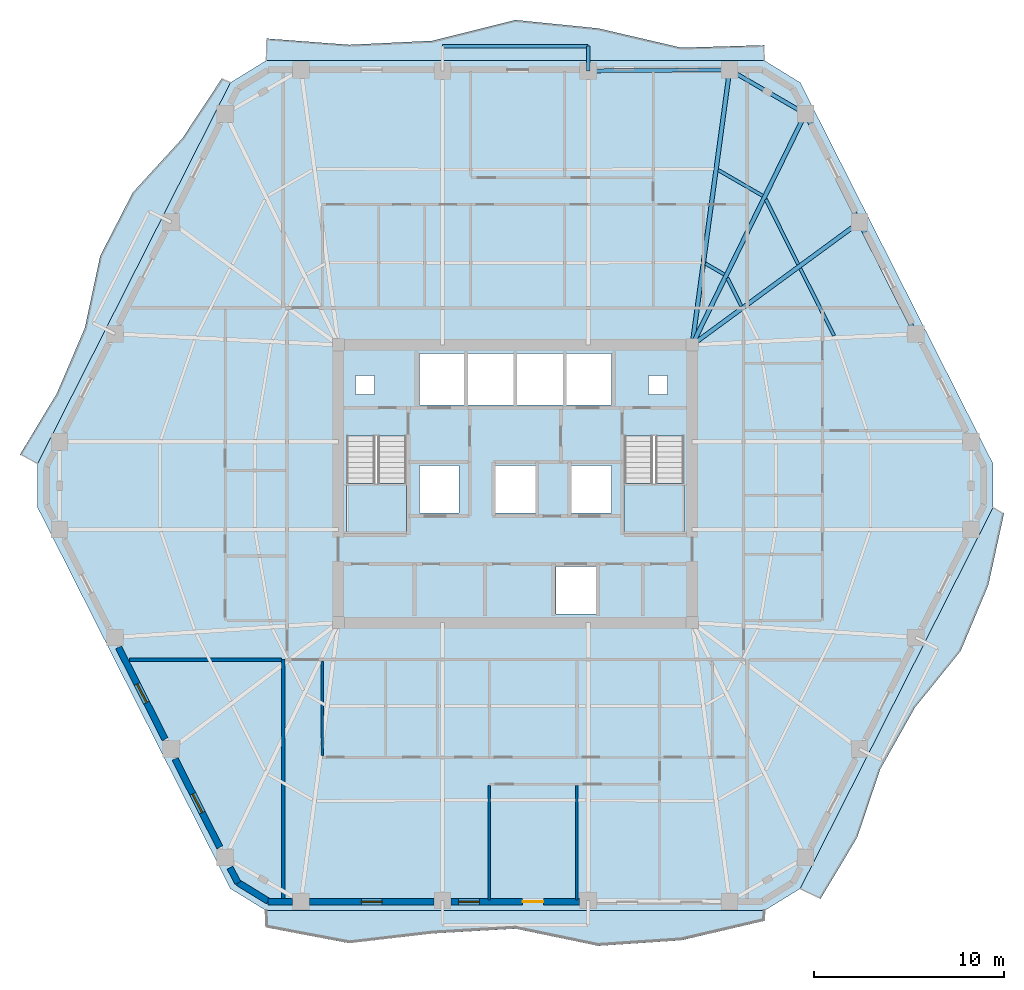
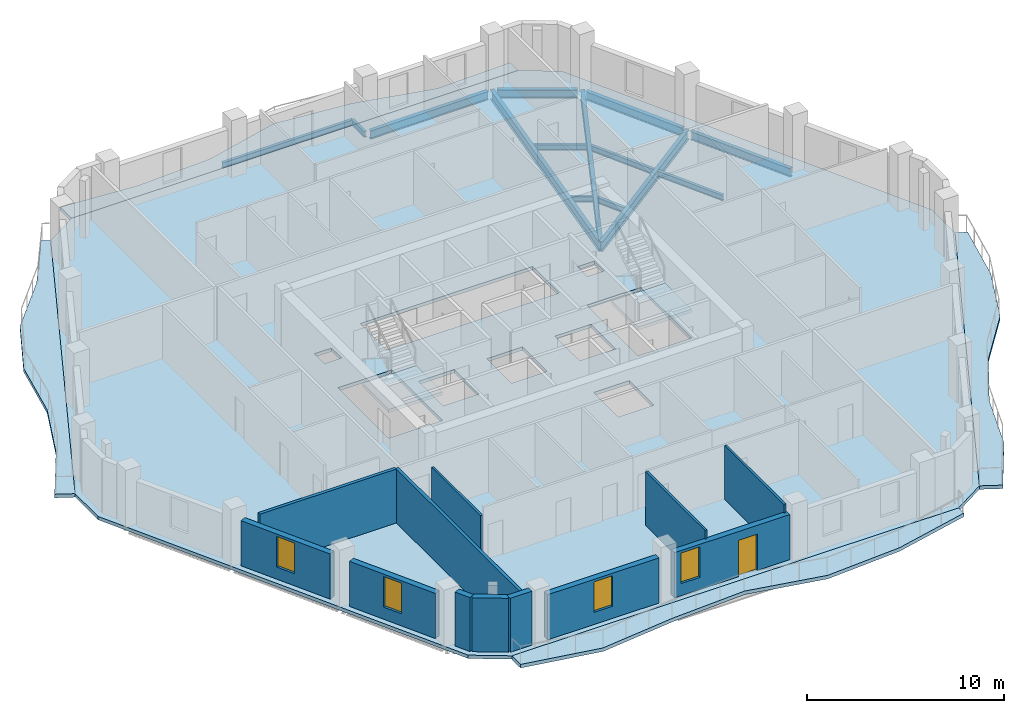
# One storey, part 3 of 10: 14 beams, 12 walls, 7 slabs, 4 windows, 1 door, 5 openings, 2 elements without a shape of their own.
"""IFC4 building model written with IfcOpenShell, lengths in metres."""

from ifc_helpers import new_model, si_unit, direction, frame, frame_2d, origin, origin_2d, place, context, subcontext, project, spatial, polyline, rectangle, i_section, outline, extrude, material, layer, layer_set, material_profile, profile_set, type_object, element, fill, aggregate, save


model = new_model("IFC4")

# Units and contexts
model_context = context("Model", 3, precision=1e-05, world=origin(), true_north=direction((0.0, 1.0)))
body_context = subcontext(model_context, "Body", "Model", "MODEL_VIEW")
ifc_project = project(units=[si_unit("LENGTHUNIT", "METRE"), si_unit("AREAUNIT", "SQUARE_METRE"), si_unit("VOLUMEUNIT", "CUBIC_METRE"), si_unit("PLANEANGLEUNIT", "RADIAN"), si_unit("MASSUNIT", "GRAM", prefix="KILO")], contexts=[model_context])

# Site, building, storey
site_placement = place(None, origin())
site = spatial("IfcSite", under=ifc_project, at=site_placement, CompositionType="ELEMENT")
building_placement = place(site_placement, origin())
building = spatial("IfcBuilding", under=site, at=building_placement, Name="Cinnabar Lancet Tower", CompositionType="ELEMENT")
storey_placement = place(building_placement, frame((0.0, 0.0, 164.14990234375)))
storey = spatial("IfcBuildingStorey", under=building, at=storey_placement, Name="L43", CompositionType="ELEMENT", Elevation=164.14990234375)

# Beams
ifc_material_1 = material(Name="Structural steel S355", Category="steel")
ifc_material_profile_1 = material_profile(ifc_material_1, i_section(OverallWidth=0.17138671875, OverallDepth=0.35498046875, WebThickness=0.00732421875, FlangeThickness=0.011474609375, FilletRadius=0.01025390625, at=origin_2d()), Name="UKB 356x171x51")
ifc_profile_set_1 = profile_set([ifc_material_profile_1], Name="Structural steel S355")
beam_type_1 = type_object("IfcBeamType", Name="STR-BM-JST-356", PredefinedType="JOIST", material=ifc_profile_set_1)
beam_1_placement = place(storey_placement, frame((49.1650390625, 33.679931640625, -0.387939453125), z_axis=(-0.450656035687, 0.892697674187, 0.0), x_axis=(-0.892697674187, -0.450656035687, 0.0)))
element("IfcBeam", 1, at=beam_1_placement, inside=storey, type_object=beam_type_1, Name="L43 Secondary Floor Joist 27", PredefinedType="JOIST", context=body_context, shape_type="SweptSolid", body=[
    extrude(i_section(OverallWidth=0.17138671875, OverallDepth=0.35498046875, WebThickness=0.00732421875, FlangeThickness=0.011474609375, FilletRadius=0.01025390625, at=origin_2d()), origin(), (0.0, 0.0, 1.0), 3.9677734375),
])
beam_2_placement = place(storey_placement, frame((47.27294921875, 37.427978515625, -0.387939453125), z_axis=(-0.4452962175, 0.895383313827, 0.0), x_axis=(-0.895383313827, -0.4452962175, 0.0)))
element("IfcBeam", 2, at=beam_2_placement, inside=storey, type_object=beam_type_1, Name="L43 Secondary Floor Joist 29", PredefinedType="JOIST", context=body_context, shape_type="SweptSolid", body=[
    extrude(i_section(OverallWidth=0.17138671875, OverallDepth=0.35498046875, WebThickness=0.00732421875, FlangeThickness=0.011474609375, FilletRadius=0.01025390625, at=origin_2d()), origin(), (0.0, 0.0, 1.0), 3.822021484375),
])
beam_3_placement = place(storey_placement, frame((44.284912109375, 35.237060546875, -0.387939453125), z_axis=(-0.445203586036, 0.895429375764, 0.0), x_axis=(-0.895429375764, -0.445203586036, 0.0)))
element("IfcBeam", 3, at=beam_3_placement, inside=storey, type_object=beam_type_1, Name="L43 Secondary Floor Joist 30", PredefinedType="JOIST", context=body_context, shape_type="SweptSolid", body=[
    extrude(i_section(OverallWidth=0.17138671875, OverallDepth=0.35498046875, WebThickness=0.00732421875, FlangeThickness=0.011474609375, FilletRadius=0.01025390625, at=origin_2d()), origin(), (0.0, 0.0, 1.0), 1.65283203125),
])
beam_4_placement = place(storey_placement, frame((45.407958984375, 41.035888671875, -0.387939453125), z_axis=(-0.865133760642, 0.501541200898, 0.0), x_axis=(-0.501541200898, -0.865133760642, 0.0)))
element("IfcBeam", 4, at=beam_4_placement, inside=storey, type_object=beam_type_1, Name="L43 Secondary Floor Joist 31", PredefinedType="JOIST", context=body_context, shape_type="SweptSolid", body=[
    extrude(i_section(OverallWidth=0.17138671875, OverallDepth=0.35498046875, WebThickness=0.00732421875, FlangeThickness=0.011474609375, FilletRadius=0.01025390625, at=origin_2d()), origin(), (0.0, 0.0, 1.0), 2.7060546875),
])
beam_5_placement = place(storey_placement, frame((43.385986328125, 36.904052734375, -0.387939453125), z_axis=(-0.865640778484, 0.500665599602, 0.0), x_axis=(-0.500665599602, -0.865640778484, 0.0)))
element("IfcBeam", 5, at=beam_5_placement, inside=storey, type_object=beam_type_1, Name="L43 Secondary Floor Joist 32", PredefinedType="JOIST", context=body_context, shape_type="SweptSolid", body=[
    extrude(i_section(OverallWidth=0.17138671875, OverallDepth=0.35498046875, WebThickness=0.00732421875, FlangeThickness=0.011474609375, FilletRadius=0.01025390625, at=origin_2d()), origin(), (0.0, 0.0, 1.0), 1.142578125),
])
ifc_material_2 = material(Name="Structural steel S355", Category="steel")
ifc_material_profile_2 = material_profile(ifc_material_2, i_section(OverallWidth=0.209228515625, OverallDepth=0.533203125, WebThickness=0.010009765625, FlangeThickness=0.015625, FilletRadius=0.0126953125, at=origin_2d()), Name="UKB 533x210x92")
ifc_profile_set_2 = profile_set([ifc_material_profile_2], Name="Structural steel S355")
beam_type_2 = type_object("IfcBeamType", Name="STR-BM-SPN-533", PredefinedType="SPANDREL", material=ifc_profile_set_2)
beam_6_placement = place(storey_placement, frame((53.339111328125, 33.9990234375, -0.476806640625), z_axis=(-0.450570325924, 0.892740937449, 0.0), x_axis=(-0.892740937449, -0.450570325924, 0.0)))
element("IfcBeam", 6, at=beam_6_placement, inside=storey, type_object=beam_type_2, Name="L43 Perimeter Spandrel 10", PredefinedType="SPANDREL", context=body_context, shape_type="SweptSolid", body=[
    extrude(i_section(OverallWidth=0.209228515625, OverallDepth=0.533203125, WebThickness=0.010009765625, FlangeThickness=0.015625, FilletRadius=0.0126953125, at=origin_2d()), origin(), (0.0, 0.0, 1.0), 6.07470703125),
])
beam_7_placement = place(storey_placement, frame((50.3779296875, 39.868896484375, -0.476806640625), z_axis=(-0.445501068635, 0.89528140707, 0.0), x_axis=(-0.89528140707, -0.445501068635, 0.0)))
element("IfcBeam", 7, at=beam_7_placement, inside=storey, type_object=beam_type_2, Name="L43 Perimeter Spandrel 11", PredefinedType="SPANDREL", context=body_context, shape_type="SweptSolid", body=[
    extrude(i_section(OverallWidth=0.209228515625, OverallDepth=0.533203125, WebThickness=0.010009765625, FlangeThickness=0.015625, FilletRadius=0.0126953125, at=origin_2d()), origin(), (0.0, 0.0, 1.0), 5.87646484375),
])
beam_8_placement = place(storey_placement, frame((47.43310546875, 45.47900390625, -0.476806640625), z_axis=(-0.865138129765, 0.5015336643, 0.0), x_axis=(-0.5015336643, -0.865138129765, 0.0)))
element("IfcBeam", 8, at=beam_8_placement, inside=storey, type_object=beam_type_2, Name="L43 Perimeter Spandrel 12", PredefinedType="SPANDREL", context=body_context, shape_type="SweptSolid", body=[
    extrude(i_section(OverallWidth=0.209228515625, OverallDepth=0.533203125, WebThickness=0.010009765625, FlangeThickness=0.015625, FilletRadius=0.0126953125, at=origin_2d()), origin(), (0.0, 0.0, 1.0), 4.10107421875),
])
beam_9_placement = place(storey_placement, frame((43.4189453125, 47.658935546875, -0.476806640625), z_axis=(-0.999975228682, -0.007038609338, 0.0), x_axis=(0.007038609338, -0.999975228682, 0.0)))
element("IfcBeam", 9, at=beam_9_placement, inside=storey, type_object=beam_type_2, Name="L43 Perimeter Spandrel 13", PredefinedType="SPANDREL", context=body_context, shape_type="SweptSolid", body=[
    extrude(i_section(OverallWidth=0.209228515625, OverallDepth=0.533203125, WebThickness=0.010009765625, FlangeThickness=0.015625, FilletRadius=0.0126953125, at=origin_2d()), origin(), (0.0, 0.0, 1.0), 6.937255859375),
])
ifc_material_3 = material(Name="Structural steel S355", Category="steel")
ifc_material_profile_3 = material_profile(ifc_material_3, i_section(OverallWidth=0.228271484375, OverallDepth=0.607666015625, WebThickness=0.010986328125, FlangeThickness=0.017333984375, FilletRadius=0.0126953125, at=origin_2d()), Name="UKB 610x229x113")
ifc_profile_set_3 = profile_set([ifc_material_profile_3], Name="Structural steel S355")
beam_type_3 = type_object("IfcBeamType", Name="STR-BM-UKB610-113", PredefinedType="BEAM", material=ifc_profile_set_3)
beam_10_placement = place(storey_placement, frame((50.489013671875, 39.64501953125, -0.513916015625), z_axis=(-0.806415678013, -0.591349096774, 0.0), x_axis=(0.591349096774, -0.806415678013, 0.0)))
element("IfcBeam", 10, at=beam_10_placement, inside=storey, type_object=beam_type_3, Name="L43 Corner Collector Girder 3", PredefinedType="BEAM", context=body_context, shape_type="SweptSolid", body=[
    extrude(i_section(OverallWidth=0.228271484375, OverallDepth=0.607666015625, WebThickness=0.010986328125, FlangeThickness=0.017333984375, FilletRadius=0.0126953125, at=origin_2d()), origin(), (0.0, 0.0, 1.0), 10.89892578125),
])
beam_11_placement = place(storey_placement, frame((47.64892578125, 45.35400390625, -0.513916015625), z_axis=(-0.43962719145, -0.898180345219, 0.0), x_axis=(0.898180345219, -0.43962719145, 0.0)))
element("IfcBeam", 11, at=beam_11_placement, inside=storey, type_object=beam_type_3, Name="L43 Primary Floor Girder 12", PredefinedType="BEAM", context=body_context, shape_type="SweptSolid", body=[
    extrude(i_section(OverallWidth=0.228271484375, OverallDepth=0.607666015625, WebThickness=0.010986328125, FlangeThickness=0.017333984375, FilletRadius=0.0126953125, at=origin_2d()), origin(), (0.0, 0.0, 1.0), 13.531982421875),
])
beam_12_placement = place(storey_placement, frame((43.6689453125, 47.660888671875, -0.513916015625), z_axis=(-0.134914632731, -0.990857225777, 0.0), x_axis=(0.990857225777, -0.134914632731, 0.0)))
element("IfcBeam", 12, at=beam_12_placement, inside=storey, type_object=beam_type_3, Name="L43 Primary Floor Girder 13", PredefinedType="BEAM", context=body_context, shape_type="SweptSolid", body=[
    extrude(i_section(OverallWidth=0.228271484375, OverallDepth=0.607666015625, WebThickness=0.010986328125, FlangeThickness=0.017333984375, FilletRadius=0.0126953125, at=origin_2d()), origin(), (0.0, 0.0, 1.0), 14.594482421875),
])
ifc_material_4 = material(Name="Structural steel S355", Category="steel")
ifc_material_profile_4 = material_profile(ifc_material_4, i_section(OverallWidth=0.17138671875, OverallDepth=0.35498046875, WebThickness=0.00732421875, FlangeThickness=0.011474609375, FilletRadius=0.01025390625, at=origin_2d()), Name="UKB 356x171x51")
ifc_profile_set_4 = profile_set([ifc_material_profile_4], Name="Structural steel S355")
beam_type_4 = type_object("IfcBeamType", Name="STR-BM-WAV-OUT", PredefinedType="BEAM", material=ifc_profile_set_4)
beam_13_placement = place(storey_placement, frame((36.23193359375, 47.60791015625, -0.39794921875), z_axis=(0.0, 1.0, 0.0), x_axis=(-1.0, 0.0, 0.0)))
element("IfcBeam", 13, at=beam_13_placement, inside=storey, type_object=beam_type_4, Name="L43 Face 4 Balcony Outlooker A", PredefinedType="BEAM", context=body_context, shape_type="SweptSolid", body=[
    extrude(i_section(OverallWidth=0.17138671875, OverallDepth=0.35498046875, WebThickness=0.00732421875, FlangeThickness=0.011474609375, FilletRadius=0.01025390625, at=origin_2d()), origin(), (0.0, 0.0, 1.0), 1.300048828125),
])
ifc_material_5 = material(Name="Structural steel S355", Category="steel")
ifc_material_profile_5 = material_profile(ifc_material_5, i_section(OverallWidth=0.17138671875, OverallDepth=0.35498046875, WebThickness=0.00732421875, FlangeThickness=0.011474609375, FilletRadius=0.01025390625, at=origin_2d()), Name="UKB 356x171x51")
ifc_profile_set_5 = profile_set([ifc_material_profile_5], Name="Structural steel S355")
beam_type_5 = type_object("IfcBeamType", Name="STR-BM-WAV-TRIM", PredefinedType="SPANDREL", material=ifc_profile_set_5)
beam_14_placement = place(storey_placement, frame((36.23193359375, 48.907958984375, -0.39794921875), z_axis=(-1.0, 0.0, 0.0), x_axis=(0.0, -1.0, 0.0)))
element("IfcBeam", 14, at=beam_14_placement, inside=storey, type_object=beam_type_5, Name="L43 Face 4 Balcony Edge Trimmer", PredefinedType="SPANDREL", context=body_context, shape_type="SweptSolid", body=[
    extrude(i_section(OverallWidth=0.17138671875, OverallDepth=0.35498046875, WebThickness=0.00732421875, FlangeThickness=0.011474609375, FilletRadius=0.01025390625, at=origin_2d()), origin(), (0.0, 0.0, 1.0), 7.663818359375),
])

# Stair, slab
ifc_material_6 = material(Name="Concrete C40/50", Category="concrete")
stair_type = type_object("IfcStairType", Name="ST-CORE", PredefinedType="HALF_TURN_STAIR", material=ifc_material_6)
stair_1_placement = place(storey_placement, origin())
stair_1 = element("IfcStair", 15, at=stair_1_placement, inside=storey, type_object=stair_type, Name="L43 ST-1", PredefinedType="HALF_TURN_STAIR")
ifc_material_7 = material(Name="Concrete C40/50", Category="concrete")
ifc_layer_1 = layer(ifc_material_7, 0.199951171875)
ifc_layer_set_1 = layer_set([ifc_layer_1], Name="Concrete C40/50")
slab_type_1 = type_object("IfcSlabType", Name="LANDING-CORE", PredefinedType="LANDING", material=ifc_layer_set_1)
slab_1_placement = place(storey_placement, frame((0.0, 0.0, 1.5751953125)))
slab_1 = element("IfcSlab", 16, at=slab_1_placement, type_object=slab_type_1, Name="ST-1 landing 1", PredefinedType="LANDING", context=body_context, shape_type="SweptSolid", body=[
    extrude(outline(polyline([(23.52490234375, 25.925048828125), (23.52490234375, 23.25), (26.675048828125, 23.25), (26.675048828125, 25.925048828125), (23.52490234375, 25.925048828125)])), origin(), (0.0, 0.0, 1.0), 0.199951171875),
])
aggregate(stair_1, [slab_1])

stair_2_placement = place(storey_placement, origin())
stair_2 = element("IfcStair", 17, at=stair_2_placement, inside=storey, type_object=stair_type, Name="L43 ST-2", PredefinedType="HALF_TURN_STAIR")
slab_2_placement = place(storey_placement, frame((0.0, 0.0, 1.5751953125)))
slab_2 = element("IfcSlab", 18, at=slab_2_placement, type_object=slab_type_1, Name="ST-2 landing 1", PredefinedType="LANDING", context=body_context, shape_type="SweptSolid", body=[
    extrude(outline(polyline([(38.125, 25.925048828125), (38.125, 23.25), (41.27490234375, 23.25), (41.27490234375, 25.925048828125), (38.125, 25.925048828125)])), origin(), (0.0, 0.0, 1.0), 0.199951171875),
])
aggregate(stair_2, [slab_2])

# Slabs
ifc_material_8 = material(Name="Concrete C40/50", Category="concrete")
ifc_layer_2 = layer(ifc_material_8, 0.2099609375)
ifc_layer_set_2 = layer_set([ifc_layer_2], Name="Concrete C40/50")
slab_type_2 = type_object("IfcSlabType", Name="STR-SLB-FLR-210", PredefinedType="FLOOR", material=ifc_layer_set_2)
slab_3_placement = place(storey_placement, frame((0.0, 0.0, -0.2099609375)))
element("IfcSlab", 19, at=slab_3_placement, inside=storey, type_object=slab_type_2, Name="L43 Structural Floor Slab", PredefinedType="FLOOR", context=body_context, shape_type="SweptSolid", body=[
    extrude(outline(polyline([(17.4208984375, 4.610107421875), (19.30810546875, 3.449951171875), (45.491943359375, 3.449951171875), (47.37890625, 4.610107421875), (57.512939453125, 24.639892578125), (57.512939453125, 26.9599609375), (47.37890625, 46.989990234375), (45.491943359375, 48.14990234375), (19.30810546875, 48.14990234375), (17.4208984375, 46.989990234375), (7.287109375, 26.9599609375), (7.287109375, 24.639892578125), (17.4208984375, 4.610107421875)]), holes=[polyline([(23.52490234375, 23.25), (26.675048828125, 23.25), (26.675048828125, 28.3994140625), (23.52490234375, 28.3994140625), (23.52490234375, 23.25)]), polyline([(38.125, 23.25), (41.27490234375, 23.25), (41.27490234375, 28.3994140625), (38.125, 28.3994140625), (38.125, 23.25)]), polyline([(27.35009765625, 30.050048828125), (37.449951171875, 30.050048828125), (37.449951171875, 32.75), (27.35009765625, 32.75), (27.35009765625, 30.050048828125)]), polyline([(34.550048828125, 19.050048828125), (36.64990234375, 19.050048828125), (36.64990234375, 21.550048828125), (34.550048828125, 21.550048828125), (34.550048828125, 19.050048828125)]), polyline([(27.35009765625, 24.35009765625), (29.449951171875, 24.35009765625), (29.449951171875, 26.85009765625), (27.35009765625, 26.85009765625), (27.35009765625, 24.35009765625)]), polyline([(35.35009765625, 24.35009765625), (37.449951171875, 24.35009765625), (37.449951171875, 26.85009765625), (35.35009765625, 26.85009765625), (35.35009765625, 24.35009765625)]), polyline([(31.35009765625, 24.35009765625), (33.449951171875, 24.35009765625), (33.449951171875, 26.85009765625), (31.35009765625, 26.85009765625), (31.35009765625, 24.35009765625)]), polyline([(24.0, 30.60009765625), (25.0, 30.60009765625), (25.0, 31.60009765625), (24.0, 31.60009765625), (24.0, 30.60009765625)]), polyline([(39.39990234375, 30.60009765625), (40.39990234375, 30.60009765625), (40.39990234375, 31.60009765625), (39.39990234375, 31.60009765625), (39.39990234375, 30.60009765625)])]), origin(), (0.0, 0.0, 1.0), 0.2099609375),
])
ifc_material_9 = material(Name="Concrete C45/55", Category="concrete")
ifc_layer_3 = layer(ifc_material_9, 0.219970703125)
ifc_layer_set_3 = layer_set([ifc_layer_3], Name="Concrete C45/55")
slab_type_3 = type_object("IfcSlabType", Name="STR-SLB-WAV-220", PredefinedType="FLOOR", material=ifc_layer_set_3)
slab_4_placement = place(storey_placement, frame((0.0, 0.0, -0.219970703125)))
element("IfcSlab", 20, at=slab_4_placement, inside=storey, type_object=slab_type_3, Name="L43 Face 1 Undulating Wave Balcony Slab", PredefinedType="FLOOR", context=body_context, shape_type="SweptSolid", body=[
    extrude(outline(polyline([(19.30810546875, 3.449951171875), (19.30810546875, 2.56396484375), (23.672119140625, 1.739990234375), (28.035888671875, 2.25), (32.39990234375, 2.50390625), (36.763916015625, 1.59912109375), (41.1279296875, 1.89306640625), (45.491943359375, 2.9150390625), (45.491943359375, 3.449951171875), (19.30810546875, 3.449951171875)])), origin(), (0.0, 0.0, 1.0), 0.219970703125),
])
slab_5_placement = place(storey_placement, frame((0.0, 0.0, -0.219970703125)))
element("IfcSlab", 21, at=slab_5_placement, inside=storey, type_object=slab_type_3, Name="L43 Face 2 Undulating Wave Balcony Slab", PredefinedType="FLOOR", context=body_context, shape_type="SweptSolid", body=[
    extrude(outline(polyline([(47.37890625, 4.610107421875), (48.443115234375, 4.072021484375), (50.368896484375, 7.2900390625), (51.577880859375, 10.87109375), (53.412109375, 14.135986328125), (55.81689453125, 17.112060546875), (57.26904296875, 20.571044921875), (58.093994140625, 24.345947265625), (57.512939453125, 24.639892578125), (47.37890625, 4.610107421875)])), origin(), (0.0, 0.0, 1.0), 0.219970703125),
])
slab_6_placement = place(storey_placement, frame((0.0, 0.0, -0.219970703125)))
element("IfcSlab", 22, at=slab_6_placement, inside=storey, type_object=slab_type_3, Name="L43 Face 4 Undulating Wave Balcony Slab", PredefinedType="FLOOR", context=body_context, shape_type="SweptSolid", body=[
    extrude(outline(polyline([(45.491943359375, 48.14990234375), (45.491943359375, 48.95703125), (41.1279296875, 48.824951171875), (36.763916015625, 49.842041015625), (32.39990234375, 50.281982421875), (28.035888671875, 49.19091796875), (23.672119140625, 48.97802734375), (19.30810546875, 49.306884765625), (19.30810546875, 48.14990234375), (45.491943359375, 48.14990234375)])), origin(), (0.0, 0.0, 1.0), 0.219970703125),
])
slab_7_placement = place(storey_placement, frame((0.0, 0.0, -0.219970703125)))
element("IfcSlab", 23, at=slab_7_placement, inside=storey, type_object=slab_type_3, Name="L43 Face 5 Undulating Wave Balcony Slab", PredefinedType="FLOOR", context=body_context, shape_type="SweptSolid", body=[
    extrude(outline(polyline([(17.4208984375, 46.989990234375), (16.97509765625, 47.216064453125), (14.905029296875, 44.070068359375), (12.282958984375, 41.2041015625), (10.573974609375, 37.8759765625), (9.76708984375, 34.091064453125), (8.29296875, 30.64404296875), (6.35693359375, 27.429931640625), (7.287109375, 26.9599609375), (17.4208984375, 46.989990234375)])), origin(), (0.0, 0.0, 1.0), 0.219970703125),
])

# Walls
ifc_material_10 = material(Name="Fire-rated twin-frame acoustic drywall", Category="gypsum")
ifc_layer_4 = layer(ifc_material_10, 0.179931640625)
ifc_layer_set_4 = layer_set([ifc_layer_4], Name="Fire-rated twin-frame acoustic drywall")
wall_type_1 = type_object("IfcWallType", Name="ARC-WL-PARTY-180", PredefinedType="PARTITIONING", material=ifc_layer_set_4)
wall_1_placement = place(storey_placement, frame((20.199951171875, 4.10498046875, 0.0), z_axis=(0.0, 0.0, 1.0), x_axis=(0.0, 1.0, 0.0)))
element("IfcWall", 24, at=wall_1_placement, inside=storey, type_object=wall_type_1, Name="PW-L43-SPTY-202", PredefinedType="PARTITIONING", context=body_context, shape_type="SweptSolid", body=[
    extrude(rectangle(XDim=12.544921875, YDim=0.179931640625, at=frame_2d((6.2724609375, 0.0))), origin(), (0.0, 0.0, 1.0), 3.340087890625),
])
wall_2_placement = place(storey_placement, frame((12.10888671875, 16.64990234375, 0.0), z_axis=(0.0, 0.0, 1.0), x_axis=(1.0, 0.0, 0.0)))
element("IfcWall", 25, at=wall_2_placement, inside=storey, type_object=wall_type_1, Name="PW-L43-WSB", PredefinedType="PARTITIONING", context=body_context, shape_type="SweptSolid", body=[
    extrude(rectangle(XDim=7.99609375, YDim=0.179931640625, at=frame_2d((3.998046875, 0.0))), origin(), (0.0, 0.0, 1.0), 3.340087890625),
])
ifc_material_11 = material(Name="Gypsum plasterboard stud partition", Category="gypsum")
ifc_layer_5 = layer(ifc_material_11, 0.125)
ifc_layer_set_5 = layer_set([ifc_layer_5], Name="Gypsum plasterboard stud partition")
wall_type_2 = type_object("IfcWallType", Name="ARC-WL-UNIT-125", PredefinedType="PARTITIONING", material=ifc_layer_set_5)
wall_3_placement = place(storey_placement, frame((22.25, 11.612060546875, 0.0), z_axis=(0.0, 0.0, 1.0), x_axis=(0.0, 1.0, 0.0)))
element("IfcWall", 26, at=wall_3_placement, inside=storey, type_object=wall_type_2, Name="UW-L43-S01-FOYE", PredefinedType="PARTITIONING", context=body_context, shape_type="SweptSolid", body=[
    extrude(rectangle(XDim=4.952880859375, YDim=0.125, at=frame_2d((2.4765625, 0.0))), origin(), (0.0, 0.0, 1.0), 2.72216796875),
])
for number, where, z_axis, x_axis, name in (
    (27, (31.02294921875, 4.014892578125, 0.0), (0.0, 0.0, 1.0), (0.0, 1.0, 0.0), "UW-L43-S01-BD2W"),
    (28, (35.638916015625, 4.014892578125, 0.0), (0.0, 0.0, 1.0), (0.0, 1.0, 0.0), "UW-L43-S01-MB2W"),
):
    element("IfcWall", number, at=place(storey_placement, frame(where, z_axis=z_axis, x_axis=x_axis)), inside=storey, type_object=wall_type_2, Name=name, PredefinedType="PARTITIONING", context=body_context, shape_type="SweptSolid", body=[
        extrude(rectangle(XDim=6.027099609375, YDim=0.125, at=frame_2d((3.013671875, 0.0))), origin(), (0.0, 0.0, 1.0), 3.340087890625),
    ])
ifc_material_12 = material(Name="Cinnabar red clay brick", Category="masonry")
ifc_layer_6 = layer(ifc_material_12, 0.340087890625)
ifc_layer_set_6 = layer_set([ifc_layer_6], Name="Cinnabar red clay brick")
wall_type_3 = type_object("IfcWallType", Name="ENV-WL-BRK-RED-340", PredefinedType="STANDARD", material=ifc_layer_set_6)
wall_4_placement = place(storey_placement, frame((17.8291015625, 4.923095703125, 0.0), z_axis=(0.0, 0.0, 1.0), x_axis=(0.851798915137, -0.523868884523, 0.0)))
element("IfcWall", 29, at=wall_4_placement, inside=storey, type_object=wall_type_3, Name="L43 Chamfered Corner Brick Pier 1.1", PredefinedType="STANDARD", context=body_context, shape_type="SweptSolid", body=[
    extrude(rectangle(XDim=1.847900390625, YDim=0.340087890625, at=frame_2d((0.923828125, 0.0))), origin(), (0.0, 0.0, 1.0), 3.340087890625),
])
wall_5_placement = place(storey_placement, frame((19.39794921875, 3.929931640625, 0.0), z_axis=(0.0, 0.0, 1.0), x_axis=(1.0, 0.0, 0.0)))
element("IfcWall", 30, at=wall_5_placement, inside=storey, type_object=wall_type_3, Name="L43 Face 1 Masonry Bay Wall 1", PredefinedType="STANDARD", context=body_context, shape_type="SweptSolid", body=[
    extrude(rectangle(XDim=1.279052734375, YDim=0.340087890625, at=frame_2d((0.6396484375, 0.0))), origin(), (0.0, 0.0, 1.0), 3.340087890625),
])

# Wall, opening, window
wall_6_placement = place(storey_placement, frame((21.5849609375, 3.929931640625, 0.0), z_axis=(0.0, 0.0, 1.0), x_axis=(1.0, 0.0, 0.0)))
wall_6 = element("IfcWall", 31, at=wall_6_placement, inside=storey, type_object=wall_type_3, Name="L43 Face 1 Masonry Bay Wall 2", PredefinedType="STANDARD", context=body_context, shape_type="SweptSolid", body=[
    extrude(rectangle(XDim=6.529052734375, YDim=0.340087890625, at=frame_2d((3.2646484375, 0.0))), origin(), (0.0, 0.0, 1.0), 2.797119140625),
])
opening_1_placement = place(wall_6_placement, frame((2.715087890625, 0.0, 0.75)))
opening_1 = element("IfcOpeningElement", 32, at=opening_1_placement, cuts=wall_6, Name="Opening WN-04", PredefinedType="OPENING", context=body_context, shape_type="SweptSolid", body=[
    extrude(rectangle(XDim=1.10009765625, YDim=1.89697265625, at=frame_2d((0.550048828125, 0.948486328125))), frame((0.0, 0.179931640625, 0.0), z_axis=(0.0, -1.0, 0.0), x_axis=(1.0, 0.0, 0.0)), (0.0, 0.0, 1.0), 0.360107421875),
])
ifc_material_13 = material(Name="Thermally broken bronze-anodized aluminium tall lancet window", Category="aluminium")
window_type = type_object("IfcWindowType", Name="ENV-WN-LANCET-1100", PartitioningType="SINGLE_PANEL", PredefinedType="WINDOW", material=ifc_material_13)
window_1_placement = place(opening_1_placement, origin())
window_1 = element("IfcWindow", 33, at=window_1_placement, inside=storey, type_object=window_type, Name="L43 Face 1 Gothic Lancet Window 2", OverallHeight=1.89697265625, OverallWidth=1.10009765625, PartitioningType="SINGLE_PANEL", PredefinedType="WINDOW", context=body_context, shape_type="SweptSolid", body=[
    extrude(rectangle(XDim=1.10009765625, YDim=1.89697265625, at=frame_2d((0.550048828125, 0.948486328125))), frame((0.0, 0.030029296875, 0.0), z_axis=(0.0, -1.0, 0.0), x_axis=(1.0, 0.0, 0.0)), (0.0, 0.0, 1.0), 0.06005859375),
])
fill(opening_1, window_1)

# Wall, openings, door, window
wall_7_placement = place(storey_placement, frame((29.02197265625, 3.929931640625, 0.0), z_axis=(0.0, 0.0, 1.0), x_axis=(1.0, 0.0, 0.0)))
wall_7 = element("IfcWall", 34, at=wall_7_placement, inside=storey, type_object=wall_type_3, Name="L43 Face 1 Masonry Bay Wall 3", PredefinedType="STANDARD", context=body_context, shape_type="SweptSolid", body=[
    extrude(rectangle(XDim=6.756103515625, YDim=0.340087890625, at=frame_2d((3.3779296875, 0.0))), origin(), (0.0, 0.0, 1.0), 2.797119140625),
])
opening_2_placement = place(wall_7_placement, frame((3.759033203125, 0.0, 0.0)))
opening_2 = element("IfcOpeningElement", 35, at=opening_2_placement, cuts=wall_7, Name="Opening TD-01", PredefinedType="OPENING", context=body_context, shape_type="SweptSolid", body=[
    extrude(rectangle(XDim=1.10009765625, YDim=2.25, at=frame_2d((0.550048828125, 1.125))), frame((0.0, 0.179931640625, 0.0), z_axis=(0.0, -1.0, 0.0), x_axis=(1.0, 0.0, 0.0)), (0.0, 0.0, 1.0), 0.360107421875),
])
opening_3_placement = place(wall_7_placement, frame((0.39404296875, 0.0, 0.75)))
opening_3 = element("IfcOpeningElement", 36, at=opening_3_placement, cuts=wall_7, Name="Opening WN-04", PredefinedType="OPENING", context=body_context, shape_type="SweptSolid", body=[
    extrude(rectangle(XDim=1.10009765625, YDim=1.89697265625, at=frame_2d((0.550048828125, 0.948486328125))), frame((0.0, 0.179931640625, 0.0), z_axis=(0.0, -1.0, 0.0), x_axis=(1.0, 0.0, 0.0)), (0.0, 0.0, 1.0), 0.360107421875),
])
ifc_material_14 = material(Name="Thermally broken low-E glazed balcony terrace door", Category="wood")
door_type = type_object("IfcDoorType", Name="ARC-DR-BALC", OperationType="NOTDEFINED", PredefinedType="DOOR", material=ifc_material_14)
door_placement = place(opening_2_placement, origin())
door = element("IfcDoor", 37, at=door_placement, inside=storey, type_object=door_type, Name="L43 Face 1 Glazed Terrace Door", OperationType="SINGLE_SWING_RIGHT", OverallHeight=2.25, OverallWidth=1.10009765625, PredefinedType="DOOR", context=body_context, shape_type="SweptSolid", body=[
    extrude(rectangle(XDim=1.10009765625, YDim=2.25, at=frame_2d((0.550048828125, 1.125))), frame((0.0, 0.02490234375, 0.0), z_axis=(0.0, -1.0, 0.0), x_axis=(1.0, 0.0, 0.0)), (0.0, 0.0, 1.0), 0.050048828125),
])
fill(opening_2, door)
window_2_placement = place(opening_3_placement, origin())
window_2 = element("IfcWindow", 38, at=window_2_placement, inside=storey, type_object=window_type, Name="L43 Split-Bay Gothic Lancet Window 123", OverallHeight=1.89697265625, OverallWidth=1.10009765625, PartitioningType="SINGLE_PANEL", PredefinedType="WINDOW", context=body_context, shape_type="SweptSolid", body=[
    extrude(rectangle(XDim=1.10009765625, YDim=1.89697265625, at=frame_2d((0.550048828125, 0.948486328125))), frame((0.0, 0.030029296875, 0.0), z_axis=(0.0, -1.0, 0.0), x_axis=(1.0, 0.0, 0.0)), (0.0, 0.0, 1.0), 0.06005859375),
])
fill(opening_3, window_2)

# Wall, opening, window
wall_8_placement = place(storey_placement, frame((11.5419921875, 17.29296875, 0.0), z_axis=(0.0, 0.0, 1.0), x_axis=(0.451491174807, -0.892275584711, 0.0)))
wall_8 = element("IfcWall", 39, at=wall_8_placement, inside=storey, type_object=wall_type_3, Name="L43 Face 6 Masonry Bay Wall 3", PredefinedType="STANDARD", context=body_context, shape_type="SweptSolid", body=[
    extrude(rectangle(XDim=5.404296875, YDim=0.340087890625, at=frame_2d((2.7021484375, 0.0))), origin(), (0.0, 0.0, 1.0), 2.797119140625),
])
opening_4_placement = place(wall_8_placement, frame((2.152099609375, 0.0, 0.75)))
opening_4 = element("IfcOpeningElement", 40, at=opening_4_placement, cuts=wall_8, Name="Opening WN-04", PredefinedType="OPENING", context=body_context, shape_type="SweptSolid", body=[
    extrude(rectangle(XDim=1.10009765625, YDim=1.89697265625, at=frame_2d((0.550048828125, 0.948486328125))), frame((0.0, 0.179931640625, 0.0), z_axis=(0.0, -1.0, 0.0), x_axis=(1.0, 0.0, 0.0)), (0.0, 0.0, 1.0), 0.360107421875),
])
window_3_placement = place(opening_4_placement, origin())
window_3 = element("IfcWindow", 41, at=window_3_placement, inside=storey, type_object=window_type, Name="L43 Face 6 Gothic Lancet Window 3", OverallHeight=1.89697265625, OverallWidth=1.10009765625, PartitioningType="SINGLE_PANEL", PredefinedType="WINDOW", context=body_context, shape_type="SweptSolid", body=[
    extrude(rectangle(XDim=1.10009765625, YDim=1.89697265625, at=frame_2d((0.550048828125, 0.948486328125))), frame((0.0, 0.030029296875, 0.0), z_axis=(0.0, -1.0, 0.0), x_axis=(1.0, 0.0, 0.0)), (0.0, 0.0, 1.0), 0.06005859375),
])
fill(opening_4, window_3)

wall_9_placement = place(storey_placement, frame((14.510986328125, 11.424072265625, 0.0), z_axis=(0.0, 0.0, 1.0), x_axis=(0.451595734115, -0.892222670038, 0.0)))
wall_9 = element("IfcWall", 42, at=wall_9_placement, inside=storey, type_object=wall_type_3, Name="L43 Face 6 Masonry Bay Wall 4", PredefinedType="STANDARD", context=body_context, shape_type="SweptSolid", body=[
    extrude(rectangle(XDim=5.208251953125, YDim=0.340087890625, at=frame_2d((2.60400390625, 0.0))), origin(), (0.0, 0.0, 1.0), 2.797119140625),
])
opening_5_placement = place(wall_9_placement, frame((2.053955078125, 0.0, 0.75)))
opening_5 = element("IfcOpeningElement", 43, at=opening_5_placement, cuts=wall_9, Name="Opening WN-04", PredefinedType="OPENING", context=body_context, shape_type="SweptSolid", body=[
    extrude(rectangle(XDim=1.10009765625, YDim=1.89697265625, at=frame_2d((0.550048828125, 0.948486328125))), frame((0.0, 0.179931640625, 0.0), z_axis=(0.0, -1.0, 0.0), x_axis=(1.0, 0.0, 0.0)), (0.0, 0.0, 1.0), 0.360107421875),
])
window_4_placement = place(opening_5_placement, origin())
window_4 = element("IfcWindow", 44, at=window_4_placement, inside=storey, type_object=window_type, Name="L43 Face 6 Gothic Lancet Window 4", OverallHeight=1.89697265625, OverallWidth=1.10009765625, PartitioningType="SINGLE_PANEL", PredefinedType="WINDOW", context=body_context, shape_type="SweptSolid", body=[
    extrude(rectangle(XDim=1.10009765625, YDim=1.89697265625, at=frame_2d((0.550048828125, 0.948486328125))), frame((0.0, 0.030029296875, 0.0), z_axis=(0.0, -1.0, 0.0), x_axis=(1.0, 0.0, 0.0)), (0.0, 0.0, 1.0), 0.06005859375),
])
fill(opening_5, window_4)

# Wall
wall_10_placement = place(storey_placement, frame((17.39990234375, 5.715087890625, 0.0), z_axis=(0.0, 0.0, 1.0), x_axis=(0.45173600575, -0.892151658133, 0.0)))
element("IfcWall", 45, at=wall_10_placement, inside=storey, type_object=wall_type_3, Name="L43 Face 6 Masonry Bay Wall 5", PredefinedType="STANDARD", context=body_context, shape_type="SweptSolid", body=[
    extrude(rectangle(XDim=0.90576171875, YDim=0.340087890625, at=frame_2d((0.452880859375, 0.0))), origin(), (0.0, 0.0, 1.0), 3.340087890625),
])

save(model, "model.ifc")
